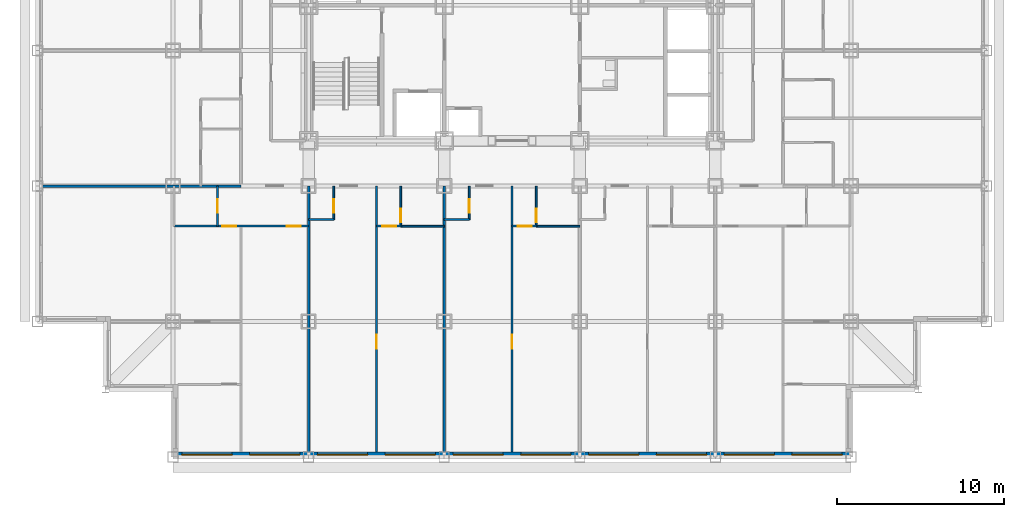
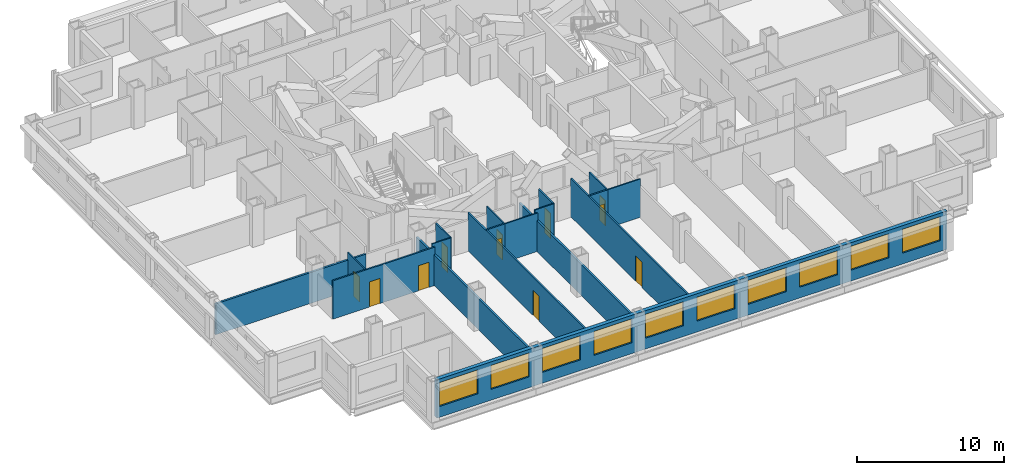
# One storey, part 4 of 13: 18 walls, 11 doors, 10 windows, 21 openings.
"""IFC4 building model written with IfcOpenShell, lengths in metres."""

from ifc_helpers import new_model, si_unit, direction, frame, frame_2d, origin, place, context, subcontext, project, spatial, rectangle, extrude, material, layer, layer_set, type_object, element, fill, save


model = new_model("IFC4")

# Units and contexts
model_context = context("Model", 3, precision=1e-05, world=origin(), true_north=direction((0.0, 1.0)))
body_context = subcontext(model_context, "Body", "Model", "MODEL_VIEW")
ifc_project = project(units=[si_unit("LENGTHUNIT", "METRE"), si_unit("AREAUNIT", "SQUARE_METRE"), si_unit("VOLUMEUNIT", "CUBIC_METRE"), si_unit("PLANEANGLEUNIT", "RADIAN"), si_unit("MASSUNIT", "GRAM", prefix="KILO")], contexts=[model_context])

# Site, building, storey
site_placement = place(None, origin())
site = spatial("IfcSite", under=ifc_project, at=site_placement, CompositionType="ELEMENT")
building_placement = place(site_placement, origin())
building = spatial("IfcBuilding", under=site, at=building_placement, Name="Kopane Lantern Tower", CompositionType="ELEMENT")
storey_placement = place(building_placement, frame((0.0, 0.0, 110.199951171875)))
storey = spatial("IfcBuildingStorey", under=building, at=storey_placement, Name="L27", CompositionType="ELEMENT", Elevation=110.199951171875)

# Wall, opening, door
ifc_material_1 = material(Name="Gypsum board on steel studs", Category="steel")
ifc_layer_1 = layer(ifc_material_1, 0.1201171875)
ifc_layer_set_1 = layer_set([ifc_layer_1], Name="APARTMENT INTERNAL WALL 120")
wall_type_1 = type_object("IfcWallType", Name="APARTMENT INTERNAL WALL 120", PredefinedType="PARTITIONING", material=ifc_layer_set_1)
wall_1_placement = place(storey_placement, frame((20.25, 21.60009765625, 0.0), z_axis=(0.0, 0.0, 1.0), x_axis=(0.0, -1.0, 0.0)))
wall_1 = element("IfcWall", 1, at=wall_1_placement, inside=storey, type_object=wall_type_1, Name="Apartment Internal Wall 120 L27", PredefinedType="PARTITIONING", context=body_context, shape_type="SweptSolid", body=[
    extrude(rectangle(XDim=15.900146484375, YDim=0.1201171875, at=frame_2d((7.9501953125, 0.0))), origin(), (0.0, 0.0, 1.0), 3.18994140625),
])
opening_1_placement = place(wall_1_placement, frame((8.875, 0.0, 0.0)))
opening_1 = element("IfcOpeningElement", 2, at=opening_1_placement, cuts=wall_1, Name="Opening L27-012", PredefinedType="OPENING", context=body_context, shape_type="SweptSolid", body=[
    extrude(rectangle(XDim=0.85009765625, YDim=2.10009765625, at=frame_2d((0.425048828125, 1.050048828125))), frame((0.0, 0.070068359375, 0.0), z_axis=(0.0, -1.0, 0.0), x_axis=(1.0, 0.0, 0.0)), (0.0, 0.0, 1.0), 0.14013671875),
])
ifc_material_2 = material(Name="Timber door set", Category="wood")
door_type_1 = type_object("IfcDoorType", Name="DOOR D4 850x2100", OperationType="SINGLE_SWING_LEFT", PredefinedType="DOOR", material=ifc_material_2)
door_1_placement = place(opening_1_placement, origin())
door_1 = element("IfcDoor", 3, at=door_1_placement, inside=storey, type_object=door_type_1, Name="Door L27-012", OperationType="SINGLE_SWING_LEFT", OverallHeight=2.10009765625, OverallWidth=0.85009765625, PredefinedType="DOOR", context=body_context, shape_type="SweptSolid", body=[
    extrude(rectangle(XDim=0.85009765625, YDim=2.10009765625, at=frame_2d((0.425048828125, 1.050048828125))), frame((0.0, 0.02490234375, 0.0), z_axis=(0.0, -1.0, 0.0), x_axis=(1.0, 0.0, 0.0)), (0.0, 0.0, 1.0), 0.050048828125),
])
fill(opening_1, door_1)

wall_2_placement = place(storey_placement, frame((28.35009765625, 21.60009765625, 0.0), z_axis=(0.0, 0.0, 1.0), x_axis=(0.0, -1.0, 0.0)))
wall_2 = element("IfcWall", 4, at=wall_2_placement, inside=storey, type_object=wall_type_1, Name="Apartment Internal Wall 120 L27", PredefinedType="PARTITIONING", context=body_context, shape_type="SweptSolid", body=[
    extrude(rectangle(XDim=15.900146484375, YDim=0.1201171875, at=frame_2d((7.9501953125, 0.0))), origin(), (0.0, 0.0, 1.0), 3.18994140625),
])
opening_2_placement = place(wall_2_placement, frame((8.875, 0.0, 0.0)))
opening_2 = element("IfcOpeningElement", 5, at=opening_2_placement, cuts=wall_2, Name="Opening L27-016", PredefinedType="OPENING", context=body_context, shape_type="SweptSolid", body=[
    extrude(rectangle(XDim=0.85009765625, YDim=2.10009765625, at=frame_2d((0.425048828125, 1.050048828125))), frame((0.0, 0.070068359375, 0.0), z_axis=(0.0, -1.0, 0.0), x_axis=(1.0, 0.0, 0.0)), (0.0, 0.0, 1.0), 0.14013671875),
])
door_2_placement = place(opening_2_placement, origin())
door_2 = element("IfcDoor", 6, at=door_2_placement, inside=storey, type_object=door_type_1, Name="Door L27-016", OperationType="SINGLE_SWING_LEFT", OverallHeight=2.10009765625, OverallWidth=0.85009765625, PredefinedType="DOOR", context=body_context, shape_type="SweptSolid", body=[
    extrude(rectangle(XDim=0.85009765625, YDim=2.10009765625, at=frame_2d((0.425048828125, 1.050048828125))), frame((0.0, 0.02490234375, 0.0), z_axis=(0.0, -1.0, 0.0), x_axis=(1.0, 0.0, 0.0)), (0.0, 0.0, 1.0), 0.050048828125),
])
fill(opening_2, door_2)

# Wall, openings, doors
wall_3_placement = place(storey_placement, frame((8.14990234375, 19.199951171875, 0.0), z_axis=(0.0, 0.0, 1.0), x_axis=(1.0, 0.0, 0.0)))
wall_3 = element("IfcWall", 7, at=wall_3_placement, inside=storey, type_object=wall_type_1, Name="Apartment Internal Wall 120 L27", PredefinedType="PARTITIONING", context=body_context, shape_type="SweptSolid", body=[
    extrude(rectangle(XDim=8.050048828125, YDim=0.1201171875, at=frame_2d((4.02490234375, 0.0))), origin(), (0.0, 0.0, 1.0), 3.18994140625),
])
opening_3_placement = place(wall_3_placement, frame((6.72509765625, 0.0, 0.0)))
opening_3 = element("IfcOpeningElement", 8, at=opening_3_placement, cuts=wall_3, Name="Opening L27-050", PredefinedType="OPENING", context=body_context, shape_type="SweptSolid", body=[
    extrude(rectangle(XDim=0.85009765625, YDim=2.10009765625, at=frame_2d((0.425048828125, 1.050048828125))), frame((0.0, 0.070068359375, 0.0), z_axis=(0.0, -1.0, 0.0), x_axis=(1.0, 0.0, 0.0)), (0.0, 0.0, 1.0), 0.14013671875),
])
opening_4_placement = place(wall_3_placement, frame((2.875, 0.0, 0.0)))
opening_4 = element("IfcOpeningElement", 9, at=opening_4_placement, cuts=wall_3, Name="Opening L27-052", PredefinedType="OPENING", context=body_context, shape_type="SweptSolid", body=[
    extrude(rectangle(XDim=0.85009765625, YDim=2.10009765625, at=frame_2d((0.425048828125, 1.050048828125))), frame((0.0, 0.070068359375, 0.0), z_axis=(0.0, -1.0, 0.0), x_axis=(1.0, 0.0, 0.0)), (0.0, 0.0, 1.0), 0.14013671875),
])
door_3_placement = place(opening_3_placement, origin())
door_3 = element("IfcDoor", 10, at=door_3_placement, inside=storey, type_object=door_type_1, Name="Door L27-050", OperationType="SINGLE_SWING_RIGHT", OverallHeight=2.10009765625, OverallWidth=0.85009765625, PredefinedType="DOOR", context=body_context, shape_type="SweptSolid", body=[
    extrude(rectangle(XDim=0.85009765625, YDim=2.10009765625, at=frame_2d((0.425048828125, 1.050048828125))), frame((0.0, 0.02490234375, 0.0), z_axis=(0.0, -1.0, 0.0), x_axis=(1.0, 0.0, 0.0)), (0.0, 0.0, 1.0), 0.050048828125),
])
fill(opening_3, door_3)
door_4_placement = place(opening_4_placement, origin())
door_4 = element("IfcDoor", 11, at=door_4_placement, inside=storey, type_object=door_type_1, Name="Door L27-052", OperationType="SINGLE_SWING_LEFT", OverallHeight=2.10009765625, OverallWidth=0.85009765625, PredefinedType="DOOR", context=body_context, shape_type="SweptSolid", body=[
    extrude(rectangle(XDim=0.85009765625, YDim=2.10009765625, at=frame_2d((0.425048828125, 1.050048828125))), frame((0.0, 0.02490234375, 0.0), z_axis=(0.0, -1.0, 0.0), x_axis=(1.0, 0.0, 0.0)), (0.0, 0.0, 1.0), 0.050048828125),
])
fill(opening_4, door_4)

# Wall, opening, door
wall_4_placement = place(storey_placement, frame((21.7099609375, 19.199951171875, 0.0), z_axis=(0.0, 0.0, 1.0), x_axis=(-1.0, 0.0, 0.0)))
wall_4 = element("IfcWall", 12, at=wall_4_placement, inside=storey, type_object=wall_type_1, Name="Apartment Internal Wall 120 L27", PredefinedType="PARTITIONING", context=body_context, shape_type="SweptSolid", body=[
    extrude(rectangle(XDim=1.4599609375, YDim=0.1201171875, at=frame_2d((0.72998046875, 0.0))), origin(), (0.0, 0.0, 1.0), 3.18994140625),
])
opening_5_placement = place(wall_4_placement, frame((0.27490234375, 0.0, 0.0)))
opening_5 = element("IfcOpeningElement", 13, at=opening_5_placement, cuts=wall_4, Name="Opening L27-067", PredefinedType="OPENING", context=body_context, shape_type="SweptSolid", body=[
    extrude(rectangle(XDim=0.85009765625, YDim=2.10009765625, at=frame_2d((0.425048828125, 1.050048828125))), frame((0.0, 0.070068359375, 0.0), z_axis=(0.0, -1.0, 0.0), x_axis=(1.0, 0.0, 0.0)), (0.0, 0.0, 1.0), 0.14013671875),
])
door_5_placement = place(opening_5_placement, origin())
door_5 = element("IfcDoor", 14, at=door_5_placement, inside=storey, type_object=door_type_1, Name="Door L27-067", OperationType="SINGLE_SWING_RIGHT", OverallHeight=2.10009765625, OverallWidth=0.85009765625, PredefinedType="DOOR", context=body_context, shape_type="SweptSolid", body=[
    extrude(rectangle(XDim=0.85009765625, YDim=2.10009765625, at=frame_2d((0.425048828125, 1.050048828125))), frame((0.0, 0.02490234375, 0.0), z_axis=(0.0, -1.0, 0.0), x_axis=(1.0, 0.0, 0.0)), (0.0, 0.0, 1.0), 0.050048828125),
])
fill(opening_5, door_5)

wall_5_placement = place(storey_placement, frame((29.81005859375, 19.199951171875, 0.0), z_axis=(0.0, 0.0, 1.0), x_axis=(-1.0, 0.0, 0.0)))
wall_5 = element("IfcWall", 15, at=wall_5_placement, inside=storey, type_object=wall_type_1, Name="Apartment Internal Wall 120 L27", PredefinedType="PARTITIONING", context=body_context, shape_type="SweptSolid", body=[
    extrude(rectangle(XDim=1.4599609375, YDim=0.1201171875, at=frame_2d((0.72998046875, 0.0))), origin(), (0.0, 0.0, 1.0), 3.18994140625),
])
opening_6_placement = place(wall_5_placement, frame((0.27490234375, 0.0, 0.0)))
opening_6 = element("IfcOpeningElement", 16, at=opening_6_placement, cuts=wall_5, Name="Opening L27-068", PredefinedType="OPENING", context=body_context, shape_type="SweptSolid", body=[
    extrude(rectangle(XDim=0.85009765625, YDim=2.10009765625, at=frame_2d((0.425048828125, 1.050048828125))), frame((0.0, 0.070068359375, 0.0), z_axis=(0.0, -1.0, 0.0), x_axis=(1.0, 0.0, 0.0)), (0.0, 0.0, 1.0), 0.14013671875),
])
door_6_placement = place(opening_6_placement, origin())
door_6 = element("IfcDoor", 17, at=door_6_placement, inside=storey, type_object=door_type_1, Name="Door L27-068", OperationType="SINGLE_SWING_RIGHT", OverallHeight=2.10009765625, OverallWidth=0.85009765625, PredefinedType="DOOR", context=body_context, shape_type="SweptSolid", body=[
    extrude(rectangle(XDim=0.85009765625, YDim=2.10009765625, at=frame_2d((0.425048828125, 1.050048828125))), frame((0.0, 0.02490234375, 0.0), z_axis=(0.0, -1.0, 0.0), x_axis=(1.0, 0.0, 0.0)), (0.0, 0.0, 1.0), 0.050048828125),
])
fill(opening_6, door_6)

# Wall
ifc_material_3 = material(Name="Moisture-resistant board on steel studs", Category="steel")
ifc_layer_2 = layer(ifc_material_3, 0.10009765625)
ifc_layer_set_2 = layer_set([ifc_layer_2], Name="BATHROOM WALL 100")
wall_type_2 = type_object("IfcWallType", Name="BATHROOM WALL 100", PredefinedType="PARTITIONING", material=ifc_layer_set_2)
wall_6_placement = place(storey_placement, frame((16.199951171875, 19.60009765625, 0.0), z_axis=(0.0, 0.0, 1.0), x_axis=(1.0, 0.0, 0.0)))
element("IfcWall", 18, at=wall_6_placement, inside=storey, type_object=wall_type_2, Name="Bathroom Wall 100 L27", PredefinedType="PARTITIONING", context=body_context, shape_type="SweptSolid", body=[
    extrude(rectangle(XDim=1.5, YDim=0.10009765625, at=frame_2d((0.75, 0.0))), origin(), (0.0, 0.0, 1.0), 3.18994140625),
])

# Wall, opening, door
wall_7_placement = place(storey_placement, frame((17.699951171875, 21.60009765625, 0.0), z_axis=(0.0, 0.0, 1.0), x_axis=(0.0, -1.0, 0.0)))
wall_7 = element("IfcWall", 19, at=wall_7_placement, inside=storey, type_object=wall_type_2, Name="Bathroom Wall 100 L27", PredefinedType="PARTITIONING", context=body_context, shape_type="SweptSolid", body=[
    extrude(rectangle(XDim=2.0, YDim=0.10009765625, at=frame_2d((1.0, 0.0))), origin(), (0.0, 0.0, 1.0), 3.18994140625),
])
opening_7_placement = place(wall_7_placement, frame((0.800048828125, 0.0, 0.0)))
opening_7 = element("IfcOpeningElement", 20, at=opening_7_placement, cuts=wall_7, Name="Opening L27-009", PredefinedType="OPENING", context=body_context, shape_type="SweptSolid", body=[
    extrude(rectangle(XDim=0.800048828125, YDim=2.10009765625, at=frame_2d((0.39990234375, 1.050048828125))), frame((0.0, 0.06005859375, 0.0), z_axis=(0.0, -1.0, 0.0), x_axis=(1.0, 0.0, 0.0)), (0.0, 0.0, 1.0), 0.1201171875),
])
ifc_material_4 = material(Name="Timber door set", Category="wood")
door_type_2 = type_object("IfcDoorType", Name="DOOR D2 800x2100", OperationType="SINGLE_SWING_LEFT", PredefinedType="DOOR", material=ifc_material_4)
door_7_placement = place(opening_7_placement, origin())
door_7 = element("IfcDoor", 21, at=door_7_placement, inside=storey, type_object=door_type_2, Name="Door L27-009", OperationType="SINGLE_SWING_LEFT", OverallHeight=2.10009765625, OverallWidth=0.800048828125, PredefinedType="DOOR", context=body_context, shape_type="SweptSolid", body=[
    extrude(rectangle(XDim=0.800048828125, YDim=2.10009765625, at=frame_2d((0.39990234375, 1.050048828125))), frame((0.0, 0.02490234375, 0.0), z_axis=(0.0, -1.0, 0.0), x_axis=(1.0, 0.0, 0.0)), (0.0, 0.0, 1.0), 0.050048828125),
])
fill(opening_7, door_7)

# Wall
wall_8_placement = place(storey_placement, frame((21.699951171875, 19.199951171875, 0.0), z_axis=(0.0, 0.0, 1.0), x_axis=(1.0, 0.0, 0.0)))
element("IfcWall", 22, at=wall_8_placement, inside=storey, type_object=wall_type_2, Name="Bathroom Wall 100 L27", PredefinedType="PARTITIONING", context=body_context, shape_type="SweptSolid", body=[
    extrude(rectangle(XDim=2.60009765625, YDim=0.10009765625, at=frame_2d((1.300048828125, 0.0))), origin(), (0.0, 0.0, 1.0), 3.18994140625),
])

# Wall, opening, door
wall_9_placement = place(storey_placement, frame((21.699951171875, 21.60009765625, 0.0), z_axis=(0.0, 0.0, 1.0), x_axis=(0.0, -1.0, 0.0)))
wall_9 = element("IfcWall", 23, at=wall_9_placement, inside=storey, type_object=wall_type_2, Name="Bathroom Wall 100 L27", PredefinedType="PARTITIONING", context=body_context, shape_type="SweptSolid", body=[
    extrude(rectangle(XDim=2.400146484375, YDim=0.10009765625, at=frame_2d((1.2001953125, 0.0))), origin(), (0.0, 0.0, 1.0), 3.18994140625),
])
opening_8_placement = place(wall_9_placement, frame((1.35009765625, 0.0, 0.0)))
opening_8 = element("IfcOpeningElement", 24, at=opening_8_placement, cuts=wall_9, Name="Opening L27-011", PredefinedType="OPENING", context=body_context, shape_type="SweptSolid", body=[
    extrude(rectangle(XDim=0.800048828125, YDim=2.10009765625, at=frame_2d((0.39990234375, 1.050048828125))), frame((0.0, 0.06005859375, 0.0), z_axis=(0.0, -1.0, 0.0), x_axis=(1.0, 0.0, 0.0)), (0.0, 0.0, 1.0), 0.1201171875),
])
door_8_placement = place(opening_8_placement, origin())
door_8 = element("IfcDoor", 25, at=door_8_placement, inside=storey, type_object=door_type_2, Name="Door L27-011", OperationType="SINGLE_SWING_LEFT", OverallHeight=2.10009765625, OverallWidth=0.800048828125, PredefinedType="DOOR", context=body_context, shape_type="SweptSolid", body=[
    extrude(rectangle(XDim=0.800048828125, YDim=2.10009765625, at=frame_2d((0.39990234375, 1.050048828125))), frame((0.0, 0.02490234375, 0.0), z_axis=(0.0, -1.0, 0.0), x_axis=(1.0, 0.0, 0.0)), (0.0, 0.0, 1.0), 0.050048828125),
])
fill(opening_8, door_8)

# Wall
wall_10_placement = place(storey_placement, frame((24.300048828125, 19.60009765625, 0.0), z_axis=(0.0, 0.0, 1.0), x_axis=(1.0, 0.0, 0.0)))
element("IfcWall", 26, at=wall_10_placement, inside=storey, type_object=wall_type_2, Name="Bathroom Wall 100 L27", PredefinedType="PARTITIONING", context=body_context, shape_type="SweptSolid", body=[
    extrude(rectangle(XDim=1.5, YDim=0.10009765625, at=frame_2d((0.75, 0.0))), origin(), (0.0, 0.0, 1.0), 3.18994140625),
])

# Wall, opening, door
wall_11_placement = place(storey_placement, frame((25.800048828125, 21.60009765625, 0.0), z_axis=(0.0, 0.0, 1.0), x_axis=(0.0, -1.0, 0.0)))
wall_11 = element("IfcWall", 27, at=wall_11_placement, inside=storey, type_object=wall_type_2, Name="Bathroom Wall 100 L27", PredefinedType="PARTITIONING", context=body_context, shape_type="SweptSolid", body=[
    extrude(rectangle(XDim=2.0, YDim=0.10009765625, at=frame_2d((1.0, 0.0))), origin(), (0.0, 0.0, 1.0), 3.18994140625),
])
opening_9_placement = place(wall_11_placement, frame((0.800048828125, 0.0, 0.0)))
opening_9 = element("IfcOpeningElement", 28, at=opening_9_placement, cuts=wall_11, Name="Opening L27-013", PredefinedType="OPENING", context=body_context, shape_type="SweptSolid", body=[
    extrude(rectangle(XDim=0.800048828125, YDim=2.10009765625, at=frame_2d((0.39990234375, 1.050048828125))), frame((0.0, 0.06005859375, 0.0), z_axis=(0.0, -1.0, 0.0), x_axis=(1.0, 0.0, 0.0)), (0.0, 0.0, 1.0), 0.1201171875),
])
door_9_placement = place(opening_9_placement, origin())
door_9 = element("IfcDoor", 29, at=door_9_placement, inside=storey, type_object=door_type_2, Name="Door L27-013", OperationType="SINGLE_SWING_LEFT", OverallHeight=2.10009765625, OverallWidth=0.800048828125, PredefinedType="DOOR", context=body_context, shape_type="SweptSolid", body=[
    extrude(rectangle(XDim=0.800048828125, YDim=2.10009765625, at=frame_2d((0.39990234375, 1.050048828125))), frame((0.0, 0.02490234375, 0.0), z_axis=(0.0, -1.0, 0.0), x_axis=(1.0, 0.0, 0.0)), (0.0, 0.0, 1.0), 0.050048828125),
])
fill(opening_9, door_9)

# Wall
wall_12_placement = place(storey_placement, frame((29.800048828125, 19.199951171875, 0.0), z_axis=(0.0, 0.0, 1.0), x_axis=(1.0, 0.0, 0.0)))
element("IfcWall", 30, at=wall_12_placement, inside=storey, type_object=wall_type_2, Name="Bathroom Wall 100 L27", PredefinedType="PARTITIONING", context=body_context, shape_type="SweptSolid", body=[
    extrude(rectangle(XDim=2.599853515625, YDim=0.10009765625, at=frame_2d((1.2998046875, 0.0))), origin(), (0.0, 0.0, 1.0), 3.18994140625),
])

# Wall, opening, door
wall_13_placement = place(storey_placement, frame((29.800048828125, 21.60009765625, 0.0), z_axis=(0.0, 0.0, 1.0), x_axis=(0.0, -1.0, 0.0)))
wall_13 = element("IfcWall", 31, at=wall_13_placement, inside=storey, type_object=wall_type_2, Name="Bathroom Wall 100 L27", PredefinedType="PARTITIONING", context=body_context, shape_type="SweptSolid", body=[
    extrude(rectangle(XDim=2.400146484375, YDim=0.10009765625, at=frame_2d((1.2001953125, 0.0))), origin(), (0.0, 0.0, 1.0), 3.18994140625),
])
opening_10_placement = place(wall_13_placement, frame((1.35009765625, 0.0, 0.0)))
opening_10 = element("IfcOpeningElement", 32, at=opening_10_placement, cuts=wall_13, Name="Opening L27-015", PredefinedType="OPENING", context=body_context, shape_type="SweptSolid", body=[
    extrude(rectangle(XDim=0.800048828125, YDim=2.10009765625, at=frame_2d((0.39990234375, 1.050048828125))), frame((0.0, 0.06005859375, 0.0), z_axis=(0.0, -1.0, 0.0), x_axis=(1.0, 0.0, 0.0)), (0.0, 0.0, 1.0), 0.1201171875),
])
door_10_placement = place(opening_10_placement, origin())
door_10 = element("IfcDoor", 33, at=door_10_placement, inside=storey, type_object=door_type_2, Name="Door L27-015", OperationType="SINGLE_SWING_LEFT", OverallHeight=2.10009765625, OverallWidth=0.800048828125, PredefinedType="DOOR", context=body_context, shape_type="SweptSolid", body=[
    extrude(rectangle(XDim=0.800048828125, YDim=2.10009765625, at=frame_2d((0.39990234375, 1.050048828125))), frame((0.0, 0.02490234375, 0.0), z_axis=(0.0, -1.0, 0.0), x_axis=(1.0, 0.0, 0.0)), (0.0, 0.0, 1.0), 0.050048828125),
])
fill(opening_10, door_10)

wall_14_placement = place(storey_placement, frame((10.75, 21.60009765625, 0.0), z_axis=(0.0, 0.0, 1.0), x_axis=(0.0, -1.0, 0.0)))
wall_14 = element("IfcWall", 34, at=wall_14_placement, inside=storey, type_object=wall_type_2, Name="Bathroom Wall 100 L27", PredefinedType="PARTITIONING", context=body_context, shape_type="SweptSolid", body=[
    extrude(rectangle(XDim=2.400146484375, YDim=0.10009765625, at=frame_2d((1.2001953125, 0.0))), origin(), (0.0, 0.0, 1.0), 3.18994140625),
])
opening_11_placement = place(wall_14_placement, frame((0.800048828125, 0.0, 0.0)))
opening_11 = element("IfcOpeningElement", 35, at=opening_11_placement, cuts=wall_14, Name="Opening L27-051", PredefinedType="OPENING", context=body_context, shape_type="SweptSolid", body=[
    extrude(rectangle(XDim=0.800048828125, YDim=2.10009765625, at=frame_2d((0.39990234375, 1.050048828125))), frame((0.0, 0.06005859375, 0.0), z_axis=(0.0, -1.0, 0.0), x_axis=(1.0, 0.0, 0.0)), (0.0, 0.0, 1.0), 0.1201171875),
])
door_11_placement = place(opening_11_placement, origin())
door_11 = element("IfcDoor", 36, at=door_11_placement, inside=storey, type_object=door_type_2, Name="Door L27-051", OperationType="SINGLE_SWING_RIGHT", OverallHeight=2.10009765625, OverallWidth=0.800048828125, PredefinedType="DOOR", context=body_context, shape_type="SweptSolid", body=[
    extrude(rectangle(XDim=0.800048828125, YDim=2.10009765625, at=frame_2d((0.39990234375, 1.050048828125))), frame((0.0, 0.02490234375, 0.0), z_axis=(0.0, -1.0, 0.0), x_axis=(1.0, 0.0, 0.0)), (0.0, 0.0, 1.0), 0.050048828125),
])
fill(opening_11, door_11)

# Walls
ifc_material_5 = material(Name="Gypsum board on steel studs", Category="steel")
ifc_layer_3 = layer(ifc_material_5, 0.14990234375)
ifc_layer_set_3 = layer_set([ifc_layer_3], Name="DEMISING WALL 150 EI 60")
wall_type_3 = type_object("IfcWallType", Name="DEMISING WALL 150 EI 60", PredefinedType="PARTITIONING", material=ifc_layer_set_3)
wall_15_placement = place(storey_placement, frame((24.300048828125, 21.60009765625, 0.0), z_axis=(0.0, 0.0, 1.0), x_axis=(0.0, -1.0, 0.0)))
element("IfcWall", 37, at=wall_15_placement, inside=storey, type_object=wall_type_3, Name="Demising Wall 150 Ei 60 L27", PredefinedType="PARTITIONING", context=body_context, shape_type="SweptSolid", body=[
    extrude(rectangle(XDim=15.900146484375, YDim=0.14990234375, at=frame_2d((7.9501953125, 0.0))), origin(), (0.0, 0.0, 1.0), 2.577880859375),
])
wall_16_placement = place(storey_placement, frame((0.300048828125, 21.60009765625, 0.0), z_axis=(0.0, 0.0, 1.0), x_axis=(1.0, 0.0, 0.0)))
element("IfcWall", 38, at=wall_16_placement, inside=storey, type_object=wall_type_3, Name="Demising Wall 150 Ei 60 L27", PredefinedType="PARTITIONING", context=body_context, shape_type="SweptSolid", body=[
    extrude(rectangle(XDim=11.849853515625, YDim=0.14990234375, at=frame_2d((5.9248046875, 0.0))), origin(), (0.0, 0.0, 1.0), 2.577880859375),
])
wall_17_placement = place(storey_placement, frame((16.199951171875, 21.60009765625, 0.0), z_axis=(0.0, 0.0, 1.0), x_axis=(0.0, -1.0, 0.0)))
element("IfcWall", 39, at=wall_17_placement, inside=storey, type_object=wall_type_3, Name="Demising Wall 150 Ei 60 L27", PredefinedType="PARTITIONING", context=body_context, shape_type="SweptSolid", body=[
    extrude(rectangle(XDim=15.900146484375, YDim=0.14990234375, at=frame_2d((7.9501953125, 0.0))), origin(), (0.0, 0.0, 1.0), 2.577880859375),
])

# Wall, openings, windows
ifc_material_6 = material(Name="Terracotta rainscreen on light steel framing", Category="masonry")
ifc_layer_4 = layer(ifc_material_6, 0.300048828125)
ifc_layer_set_4 = layer_set([ifc_layer_4], Name="EXTERNAL WALL EW1 300 TERRACOTTA")
wall_type_4 = type_object("IfcWallType", Name="EXTERNAL WALL EW1 300 TERRACOTTA", PredefinedType="SOLIDWALL", material=ifc_layer_set_4)
wall_18_placement = place(storey_placement, frame((8.39990234375, 5.550048828125, 0.0), z_axis=(0.0, 0.0, 1.0), x_axis=(1.0, 0.0, 0.0)))
wall_18 = element("IfcWall", 40, at=wall_18_placement, inside=storey, type_object=wall_type_4, Name="External wall S L27", PredefinedType="SOLIDWALL", context=body_context, shape_type="SweptSolid", body=[
    extrude(rectangle(XDim=40.2001953125, YDim=0.300048828125, at=frame_2d((20.10009765625, 0.0))), origin(), (0.0, 0.0, 1.0), 3.18994140625),
])
opening_12_placement = place(wall_18_placement, frame((0.22509765625, 0.0, 0.89990234375)))
opening_12 = element("IfcOpeningElement", 41, at=opening_12_placement, cuts=wall_18, Name="Opening WR300200", PredefinedType="OPENING", context=body_context, shape_type="SweptSolid", body=[
    extrude(rectangle(XDim=3.0, YDim=2.0, at=frame_2d((1.5, 1.0))), frame((0.0, 0.159912109375, 0.0), z_axis=(0.0, -1.0, 0.0), x_axis=(1.0, 0.0, 0.0)), (0.0, 0.0, 1.0), 0.320068359375),
])
opening_13_placement = place(wall_18_placement, frame((4.27490234375, 0.0, 0.89990234375)))
opening_13 = element("IfcOpeningElement", 42, at=opening_13_placement, cuts=wall_18, Name="Opening WR300200", PredefinedType="OPENING", context=body_context, shape_type="SweptSolid", body=[
    extrude(rectangle(XDim=3.0, YDim=2.0, at=frame_2d((1.5, 1.0))), frame((0.0, 0.159912109375, 0.0), z_axis=(0.0, -1.0, 0.0), x_axis=(1.0, 0.0, 0.0)), (0.0, 0.0, 1.0), 0.320068359375),
])
opening_14_placement = place(wall_18_placement, frame((8.324951171875, 0.0, 0.89990234375)))
opening_14 = element("IfcOpeningElement", 43, at=opening_14_placement, cuts=wall_18, Name="Opening WR300200", PredefinedType="OPENING", context=body_context, shape_type="SweptSolid", body=[
    extrude(rectangle(XDim=3.0, YDim=2.0, at=frame_2d((1.5, 1.0))), frame((0.0, 0.159912109375, 0.0), z_axis=(0.0, -1.0, 0.0), x_axis=(1.0, 0.0, 0.0)), (0.0, 0.0, 1.0), 0.320068359375),
])
opening_15_placement = place(wall_18_placement, frame((12.375, 0.0, 0.89990234375)))
opening_15 = element("IfcOpeningElement", 44, at=opening_15_placement, cuts=wall_18, Name="Opening WR300200", PredefinedType="OPENING", context=body_context, shape_type="SweptSolid", body=[
    extrude(rectangle(XDim=3.0, YDim=2.0, at=frame_2d((1.5, 1.0))), frame((0.0, 0.159912109375, 0.0), z_axis=(0.0, -1.0, 0.0), x_axis=(1.0, 0.0, 0.0)), (0.0, 0.0, 1.0), 0.320068359375),
])
opening_16_placement = place(wall_18_placement, frame((16.425048828125, 0.0, 0.89990234375)))
opening_16 = element("IfcOpeningElement", 45, at=opening_16_placement, cuts=wall_18, Name="Opening WR300200", PredefinedType="OPENING", context=body_context, shape_type="SweptSolid", body=[
    extrude(rectangle(XDim=3.0, YDim=2.0, at=frame_2d((1.5, 1.0))), frame((0.0, 0.159912109375, 0.0), z_axis=(0.0, -1.0, 0.0), x_axis=(1.0, 0.0, 0.0)), (0.0, 0.0, 1.0), 0.320068359375),
])
opening_17_placement = place(wall_18_placement, frame((20.47509765625, 0.0, 0.89990234375)))
opening_17 = element("IfcOpeningElement", 46, at=opening_17_placement, cuts=wall_18, Name="Opening WR300200", PredefinedType="OPENING", context=body_context, shape_type="SweptSolid", body=[
    extrude(rectangle(XDim=3.0, YDim=2.0, at=frame_2d((1.5, 1.0))), frame((0.0, 0.159912109375, 0.0), z_axis=(0.0, -1.0, 0.0), x_axis=(1.0, 0.0, 0.0)), (0.0, 0.0, 1.0), 0.320068359375),
])
opening_18_placement = place(wall_18_placement, frame((24.52490234375, 0.0, 0.89990234375)))
opening_18 = element("IfcOpeningElement", 47, at=opening_18_placement, cuts=wall_18, Name="Opening WR300200", PredefinedType="OPENING", context=body_context, shape_type="SweptSolid", body=[
    extrude(rectangle(XDim=3.0, YDim=2.0, at=frame_2d((1.5, 1.0))), frame((0.0, 0.159912109375, 0.0), z_axis=(0.0, -1.0, 0.0), x_axis=(1.0, 0.0, 0.0)), (0.0, 0.0, 1.0), 0.320068359375),
])
opening_19_placement = place(wall_18_placement, frame((28.574951171875, 0.0, 0.89990234375)))
opening_19 = element("IfcOpeningElement", 48, at=opening_19_placement, cuts=wall_18, Name="Opening WR300200", PredefinedType="OPENING", context=body_context, shape_type="SweptSolid", body=[
    extrude(rectangle(XDim=3.0, YDim=2.0, at=frame_2d((1.5, 1.0))), frame((0.0, 0.159912109375, 0.0), z_axis=(0.0, -1.0, 0.0), x_axis=(1.0, 0.0, 0.0)), (0.0, 0.0, 1.0), 0.320068359375),
])
opening_20_placement = place(wall_18_placement, frame((32.625, 0.0, 0.89990234375)))
opening_20 = element("IfcOpeningElement", 49, at=opening_20_placement, cuts=wall_18, Name="Opening WR300200", PredefinedType="OPENING", context=body_context, shape_type="SweptSolid", body=[
    extrude(rectangle(XDim=3.0, YDim=2.0, at=frame_2d((1.5, 1.0))), frame((0.0, 0.159912109375, 0.0), z_axis=(0.0, -1.0, 0.0), x_axis=(1.0, 0.0, 0.0)), (0.0, 0.0, 1.0), 0.320068359375),
])
opening_21_placement = place(wall_18_placement, frame((36.675048828125, 0.0, 0.89990234375)))
opening_21 = element("IfcOpeningElement", 50, at=opening_21_placement, cuts=wall_18, Name="Opening WR300200", PredefinedType="OPENING", context=body_context, shape_type="SweptSolid", body=[
    extrude(rectangle(XDim=3.0, YDim=2.0, at=frame_2d((1.5, 1.0))), frame((0.0, 0.159912109375, 0.0), z_axis=(0.0, -1.0, 0.0), x_axis=(1.0, 0.0, 0.0)), (0.0, 0.0, 1.0), 0.320068359375),
])
ifc_material_7 = material(Name="Aluminium and clear glass", Category="aluminium")
window_type = type_object("IfcWindowType", Name="RIBBON WINDOW WR300200 3000x2000", PartitioningType="SINGLE_PANEL", PredefinedType="WINDOW", material=ifc_material_7)
window_1_placement = place(opening_12_placement, origin())
window_1 = element("IfcWindow", 51, at=window_1_placement, inside=storey, type_object=window_type, Name="Window S L27", OverallHeight=2.0, OverallWidth=3.0, PartitioningType="SINGLE_PANEL", PredefinedType="WINDOW", context=body_context, shape_type="SweptSolid", body=[
    extrude(rectangle(XDim=3.0, YDim=2.0, at=frame_2d((1.5, 1.0))), frame((0.0, 0.030029296875, 0.0), z_axis=(0.0, -1.0, 0.0), x_axis=(1.0, 0.0, 0.0)), (0.0, 0.0, 1.0), 0.06005859375),
])
fill(opening_12, window_1)
window_2_placement = place(opening_13_placement, origin())
window_2 = element("IfcWindow", 52, at=window_2_placement, inside=storey, type_object=window_type, Name="Window S L27", OverallHeight=2.0, OverallWidth=3.0, PartitioningType="SINGLE_PANEL", PredefinedType="WINDOW", context=body_context, shape_type="SweptSolid", body=[
    extrude(rectangle(XDim=3.0, YDim=2.0, at=frame_2d((1.5, 1.0))), frame((0.0, 0.030029296875, 0.0), z_axis=(0.0, -1.0, 0.0), x_axis=(1.0, 0.0, 0.0)), (0.0, 0.0, 1.0), 0.06005859375),
])
fill(opening_13, window_2)
window_3_placement = place(opening_14_placement, origin())
window_3 = element("IfcWindow", 53, at=window_3_placement, inside=storey, type_object=window_type, Name="Window S L27", OverallHeight=2.0, OverallWidth=3.0, PartitioningType="SINGLE_PANEL", PredefinedType="WINDOW", context=body_context, shape_type="SweptSolid", body=[
    extrude(rectangle(XDim=3.0, YDim=2.0, at=frame_2d((1.5, 1.0))), frame((0.0, 0.030029296875, 0.0), z_axis=(0.0, -1.0, 0.0), x_axis=(1.0, 0.0, 0.0)), (0.0, 0.0, 1.0), 0.06005859375),
])
fill(opening_14, window_3)
window_4_placement = place(opening_15_placement, origin())
window_4 = element("IfcWindow", 54, at=window_4_placement, inside=storey, type_object=window_type, Name="Window S L27", OverallHeight=2.0, OverallWidth=3.0, PartitioningType="SINGLE_PANEL", PredefinedType="WINDOW", context=body_context, shape_type="SweptSolid", body=[
    extrude(rectangle(XDim=3.0, YDim=2.0, at=frame_2d((1.5, 1.0))), frame((0.0, 0.030029296875, 0.0), z_axis=(0.0, -1.0, 0.0), x_axis=(1.0, 0.0, 0.0)), (0.0, 0.0, 1.0), 0.06005859375),
])
fill(opening_15, window_4)
window_5_placement = place(opening_16_placement, origin())
window_5 = element("IfcWindow", 55, at=window_5_placement, inside=storey, type_object=window_type, Name="Window S L27", OverallHeight=2.0, OverallWidth=3.0, PartitioningType="SINGLE_PANEL", PredefinedType="WINDOW", context=body_context, shape_type="SweptSolid", body=[
    extrude(rectangle(XDim=3.0, YDim=2.0, at=frame_2d((1.5, 1.0))), frame((0.0, 0.030029296875, 0.0), z_axis=(0.0, -1.0, 0.0), x_axis=(1.0, 0.0, 0.0)), (0.0, 0.0, 1.0), 0.06005859375),
])
fill(opening_16, window_5)
window_6_placement = place(opening_17_placement, origin())
window_6 = element("IfcWindow", 56, at=window_6_placement, inside=storey, type_object=window_type, Name="Window S L27", OverallHeight=2.0, OverallWidth=3.0, PartitioningType="SINGLE_PANEL", PredefinedType="WINDOW", context=body_context, shape_type="SweptSolid", body=[
    extrude(rectangle(XDim=3.0, YDim=2.0, at=frame_2d((1.5, 1.0))), frame((0.0, 0.030029296875, 0.0), z_axis=(0.0, -1.0, 0.0), x_axis=(1.0, 0.0, 0.0)), (0.0, 0.0, 1.0), 0.06005859375),
])
fill(opening_17, window_6)
window_7_placement = place(opening_18_placement, origin())
window_7 = element("IfcWindow", 57, at=window_7_placement, inside=storey, type_object=window_type, Name="Window S L27", OverallHeight=2.0, OverallWidth=3.0, PartitioningType="SINGLE_PANEL", PredefinedType="WINDOW", context=body_context, shape_type="SweptSolid", body=[
    extrude(rectangle(XDim=3.0, YDim=2.0, at=frame_2d((1.5, 1.0))), frame((0.0, 0.030029296875, 0.0), z_axis=(0.0, -1.0, 0.0), x_axis=(1.0, 0.0, 0.0)), (0.0, 0.0, 1.0), 0.06005859375),
])
fill(opening_18, window_7)
window_8_placement = place(opening_19_placement, origin())
window_8 = element("IfcWindow", 58, at=window_8_placement, inside=storey, type_object=window_type, Name="Window S L27", OverallHeight=2.0, OverallWidth=3.0, PartitioningType="SINGLE_PANEL", PredefinedType="WINDOW", context=body_context, shape_type="SweptSolid", body=[
    extrude(rectangle(XDim=3.0, YDim=2.0, at=frame_2d((1.5, 1.0))), frame((0.0, 0.030029296875, 0.0), z_axis=(0.0, -1.0, 0.0), x_axis=(1.0, 0.0, 0.0)), (0.0, 0.0, 1.0), 0.06005859375),
])
fill(opening_19, window_8)
window_9_placement = place(opening_20_placement, origin())
window_9 = element("IfcWindow", 59, at=window_9_placement, inside=storey, type_object=window_type, Name="Window S L27", OverallHeight=2.0, OverallWidth=3.0, PartitioningType="SINGLE_PANEL", PredefinedType="WINDOW", context=body_context, shape_type="SweptSolid", body=[
    extrude(rectangle(XDim=3.0, YDim=2.0, at=frame_2d((1.5, 1.0))), frame((0.0, 0.030029296875, 0.0), z_axis=(0.0, -1.0, 0.0), x_axis=(1.0, 0.0, 0.0)), (0.0, 0.0, 1.0), 0.06005859375),
])
fill(opening_20, window_9)
window_10_placement = place(opening_21_placement, origin())
window_10 = element("IfcWindow", 60, at=window_10_placement, inside=storey, type_object=window_type, Name="Window S L27", OverallHeight=2.0, OverallWidth=3.0, PartitioningType="SINGLE_PANEL", PredefinedType="WINDOW", context=body_context, shape_type="SweptSolid", body=[
    extrude(rectangle(XDim=3.0, YDim=2.0, at=frame_2d((1.5, 1.0))), frame((0.0, 0.030029296875, 0.0), z_axis=(0.0, -1.0, 0.0), x_axis=(1.0, 0.0, 0.0)), (0.0, 0.0, 1.0), 0.06005859375),
])
fill(opening_21, window_10)

save(model, "model.ifc")
